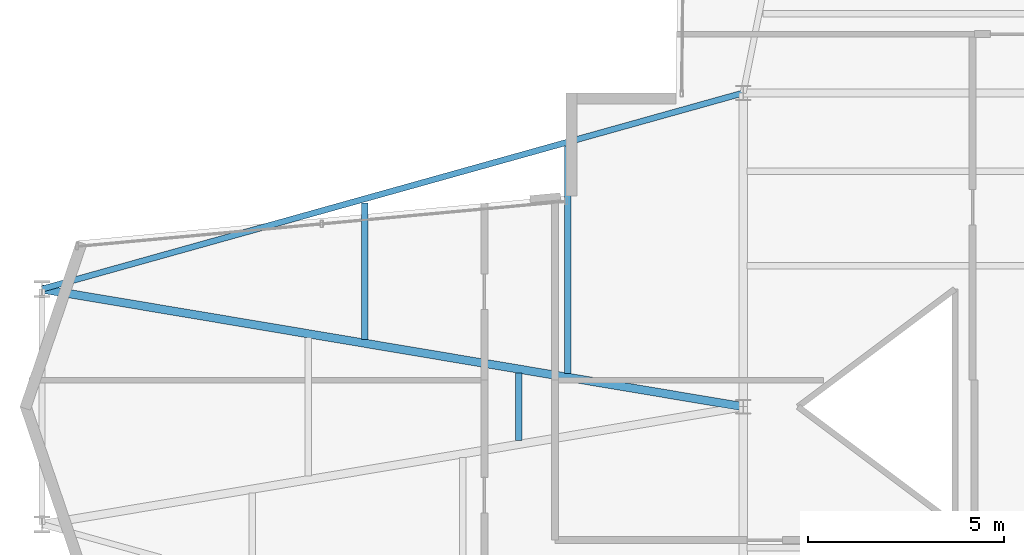
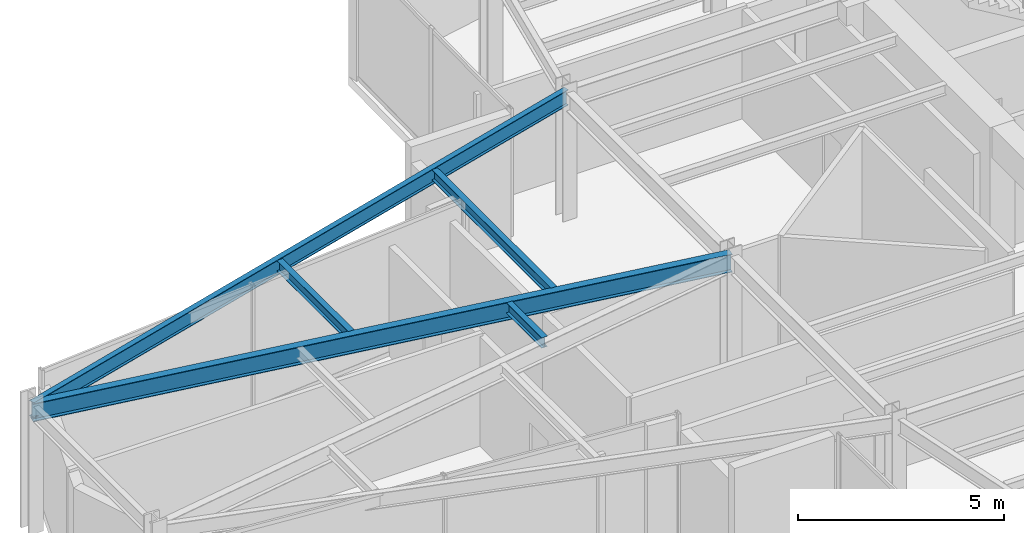
# One storey, part 10 of 22: 5 beams.
"""IFC4 building model written with IfcOpenShell, lengths in metres."""

from ifc_helpers import new_model, si_unit, direction, frame, origin, origin_2d, place, context, subcontext, project, spatial, i_section, extrude, material, material_profile, profile_set, type_object, element, save


model = new_model("IFC4")

# Units and contexts
model_context = context("Model", 3, precision=1e-05, world=origin(), true_north=direction((0.0, 1.0)))
body_context = subcontext(model_context, "Body", "Model", "MODEL_VIEW")
ifc_project = project(units=[si_unit("LENGTHUNIT", "METRE"), si_unit("AREAUNIT", "SQUARE_METRE"), si_unit("VOLUMEUNIT", "CUBIC_METRE"), si_unit("PLANEANGLEUNIT", "RADIAN"), si_unit("MASSUNIT", "GRAM", prefix="KILO")], contexts=[model_context])

# Site, building, storey
site_placement = place(None, origin())
site = spatial("IfcSite", under=ifc_project, at=site_placement, CompositionType="ELEMENT")
building_placement = place(site_placement, origin())
building = spatial("IfcBuilding", under=site, at=building_placement, Name="Veymaron Broadcast Tower", CompositionType="ELEMENT")
storey_placement = place(building_placement, frame((0.0, 0.0, 208.050048828125)))
storey = spatial("IfcBuildingStorey", under=building, at=storey_placement, Name="L48", CompositionType="ELEMENT", Elevation=208.050048828125)

# Beams
ifc_material = material(Name="Structural steel ASTM A992 Gr 50", Category="steel")
ifc_material_profile_1 = material_profile(ifc_material, i_section(OverallWidth=0.2099609375, OverallDepth=0.537109375, WebThickness=0.010986328125, FlangeThickness=0.017333984375, at=origin_2d()), Name="W530X101")
ifc_profile_set_1 = profile_set([ifc_material_profile_1], Name="Structural steel ASTM A992 Gr 50")
beam_type_1 = type_object("IfcBeamType", Name="BM-FG3", PredefinedType="BEAM", material=ifc_profile_set_1)
beam_1_placement = place(storey_placement, frame((13.320068359375, 27.0, 3.521484375), z_axis=(0.986214273988, -0.165473278152, 0.0), x_axis=(0.165473278152, 0.986214273988, 0.0)))
element("IfcBeam", 1, at=beam_1_placement, inside=storey, type_object=beam_type_1, Name="L48 primary structural floor girder", PredefinedType="BEAM", context=body_context, shape_type="SweptSolid", body=[
    extrude(i_section(OverallWidth=0.2099609375, OverallDepth=0.537109375, WebThickness=0.010986328125, FlangeThickness=0.017333984375, at=origin_2d()), origin(), (0.0, 0.0, 1.0), 18.1298828125),
])
ifc_material_profile_2 = material_profile(ifc_material, i_section(OverallWidth=0.1650390625, OverallDepth=0.31005859375, WebThickness=0.005859375, FlangeThickness=0.009765625, at=origin_2d()), Name="W310X39")
ifc_profile_set_2 = profile_set([ifc_material_profile_2], Name="Structural steel ASTM A992 Gr 50")
beam_type_2 = type_object("IfcBeamType", Name="BM-JS3", PredefinedType="JOIST", material=ifc_profile_set_2)
beam_2_placement = place(storey_placement, frame((21.544921875, 25.719970703125, 3.635009765625), z_axis=(0.0, 1.0, 0.0), x_axis=(-1.0, 0.0, 0.0)))
element("IfcBeam", 2, at=beam_2_placement, inside=storey, type_object=beam_type_2, Name="L48 Arm-A secondary joist 1N", PredefinedType="JOIST", context=body_context, shape_type="SweptSolid", body=[
    extrude(i_section(OverallWidth=0.1650390625, OverallDepth=0.31005859375, WebThickness=0.005859375, FlangeThickness=0.009765625, at=origin_2d()), origin(), (0.0, 0.0, 1.0), 3.47998046875),
])
beam_3_placement = place(storey_placement, frame((25.478515625, 23.139892578125, 3.635009765625), z_axis=(0.0, 1.0, 0.0), x_axis=(-1.0, 0.0, 0.0)))
element("IfcBeam", 3, at=beam_3_placement, inside=storey, type_object=beam_type_2, Name="L48 Arm-A secondary joist 2M", PredefinedType="JOIST", context=body_context, shape_type="SweptSolid", body=[
    extrude(i_section(OverallWidth=0.1650390625, OverallDepth=0.31005859375, WebThickness=0.005859375, FlangeThickness=0.009765625, at=origin_2d()), origin(), (0.0, 0.0, 1.0), 1.72021484375),
])
beam_4_placement = place(storey_placement, frame((26.72998046875, 24.85009765625, 3.635009765625), z_axis=(0.0, 1.0, 0.0), x_axis=(-1.0, 0.0, 0.0)))
element("IfcBeam", 4, at=beam_4_placement, inside=storey, type_object=beam_type_2, Name="L48 Arm-A secondary joist 2N", PredefinedType="JOIST", context=body_context, shape_type="SweptSolid", body=[
    extrude(i_section(OverallWidth=0.1650390625, OverallDepth=0.31005859375, WebThickness=0.005859375, FlangeThickness=0.009765625, at=origin_2d()), origin(), (0.0, 0.0, 1.0), 5.7998046875),
])
ifc_material_profile_3 = material_profile(ifc_material, i_section(OverallWidth=0.154052734375, OverallDepth=0.458984375, WebThickness=0.009033203125, FlangeThickness=0.015380859375, at=origin_2d()), Name="W460X68")
ifc_profile_set_3 = profile_set([ifc_material_profile_3], Name="Structural steel ASTM A992 Gr 50")
beam_type_3 = type_object("IfcBeamType", Name="BM-SP2", PredefinedType="SPANDREL", material=ifc_profile_set_3)
beam_5_placement = place(storey_placement, frame((13.320068359375, 27.0, 3.560546875), z_axis=(0.963053012566, 0.269311891656, 0.0), x_axis=(-0.269311891656, 0.963053012566, 0.0)))
element("IfcBeam", 5, at=beam_5_placement, inside=storey, type_object=beam_type_3, Name="L48 primary structural floor girder", PredefinedType="SPANDREL", context=body_context, shape_type="SweptSolid", body=[
    extrude(i_section(OverallWidth=0.154052734375, OverallDepth=0.458984375, WebThickness=0.009033203125, FlangeThickness=0.015380859375, at=origin_2d()), origin(), (0.0, 0.0, 1.0), 18.56591796875),
])

save(model, "model.ifc")
